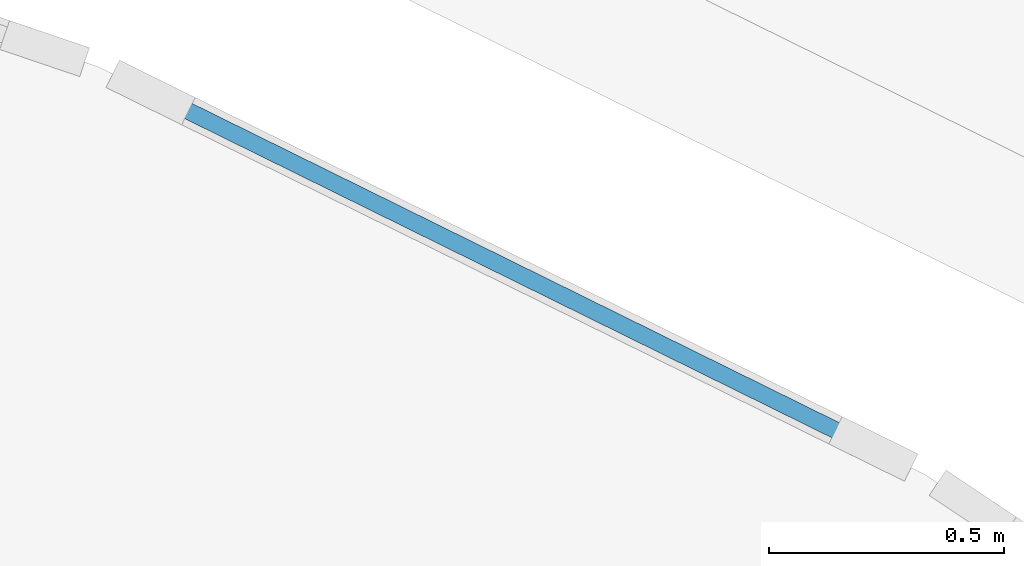
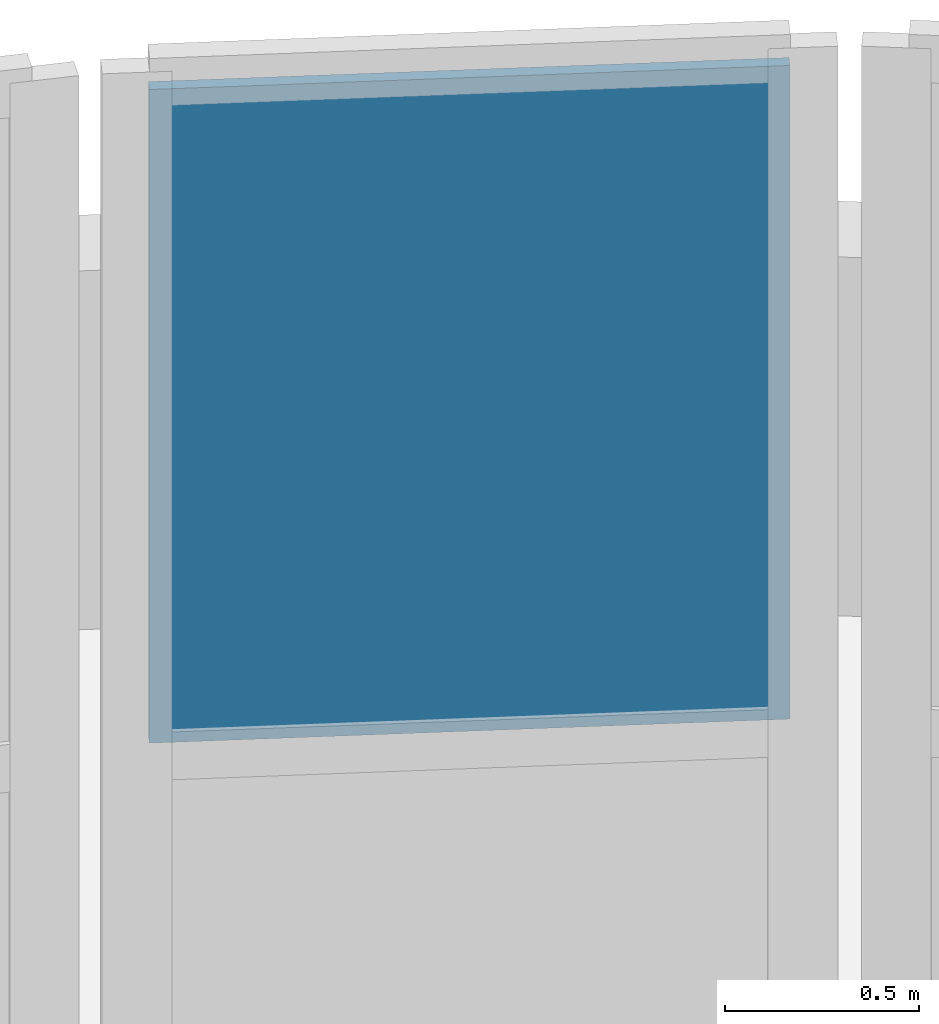
# One storey, part 20 of 33: 1 plate, 1 element without a shape of its own.
"""IFC4 building model written with IfcOpenShell, lengths in metres."""

import ifcopenshell
import ifcopenshell.guid

model = None  # the IFC model being written
_history = None  # IfcOwnerHistory: only IFC2X3 demands one
_inside = {}  # id of a spatial element -> (the spatial element, [elements in it])
_under = {}  # id of a project, library or spatial element -> (it, [spatial elements below it])
_declared = {}  # id of a project -> (the project, [libraries it declares])
_typed = {}  # id of a type object -> (the type object, [elements of that type])
_made_of = {}  # id of a material, layer set ... -> (it, [elements and type objects made of it])


def new_model(schema):
    """Start an empty IFC model of exactly this schema.

    Asked for "IFC4X3", IfcOpenShell would pick the latest addendum, in which some entities
    have other attributes; the version numbers below select the first issue.
    IFC2X3 requires an IfcOwnerHistory on every rooted entity: one is made here for all.
    """
    global model, _history
    if schema == "IFC4X3":
        model = ifcopenshell.file(schema_version=(4, 3, 0, 0))
    else:
        model = ifcopenshell.file(schema=schema)
    _inside.clear()
    _under.clear()
    _declared.clear()
    _typed.clear()
    _made_of.clear()
    _history = None
    if model.schema == "IFC2X3":
        org = make("IfcOrganization", Name="unknown")
        user = make(
            "IfcPersonAndOrganization",
            ThePerson=make("IfcPerson", FamilyName="unknown"),
            TheOrganization=org,
        )
        app = make(
            "IfcApplication",
            ApplicationDeveloper=org,
            Version="unknown",
            ApplicationFullName="unknown",
            ApplicationIdentifier="unknown",
        )
        _history = make(
            "IfcOwnerHistory",
            OwningUser=user,
            OwningApplication=app,
            ChangeAction="ADDED",
            CreationDate=0,
        )
    return model


def make(cls, **values):
    """One entity of the class cls with the attributes given. An attribute that is None is left unset."""
    return model.create_entity(
        cls, **{name: value for name, value in values.items() if value is not None}
    )


def rooted(cls, **values):
    """An entity with a GlobalId (a new one), such as an element, a storey or a relation."""
    return make(cls, GlobalId=ifcopenshell.guid.new(), OwnerHistory=_history, **values)


def si_unit(unit_type, name, prefix=None):
    """IfcSIUnit, for example si_unit("LENGTHUNIT", "METRE", prefix="MILLI")."""
    return make("IfcSIUnit", UnitType=unit_type, Prefix=prefix, Name=name)


def assignment(units):
    """IfcUnitAssignment: the units of a project."""
    return None if units is None else make("IfcUnitAssignment", Units=units)


def point(xyz):
    """IfcCartesianPoint."""
    return None if xyz is None else make("IfcCartesianPoint", Coordinates=xyz)


def direction(xyz):
    """IfcDirection."""
    return None if xyz is None else make("IfcDirection", DirectionRatios=xyz)


def frame(location, z_axis=None, x_axis=None):
    """IfcAxis2Placement3D, a coordinate frame: its origin and axes. An axis left out is left unset."""
    return make(
        "IfcAxis2Placement3D",
        Location=point(location),
        Axis=direction(z_axis),
        RefDirection=direction(x_axis),
    )


def frame_2d(location, x_axis=None):
    """IfcAxis2Placement2D, a coordinate frame in the plane: its origin and x axis."""
    return make(
        "IfcAxis2Placement2D", Location=point(location), RefDirection=direction(x_axis)
    )


def origin():
    """The frame at (0, 0, 0) with its axes left unset."""
    return frame((0.0, 0.0, 0.0))


def origin_2d():
    """The frame at (0, 0) in the plane with its x axis left unset."""
    return frame_2d((0.0, 0.0))


def place(relative_to, where):
    """IfcLocalPlacement: puts the frame where relative to a parent placement (None: the world)."""
    return make(
        "IfcLocalPlacement", PlacementRelTo=relative_to, RelativePlacement=where
    )


def context(
    kind, dimensions, precision=None, world=None, true_north=None, identifier=None
):
    """IfcGeometricRepresentationContext, for example the 3D "Model" context."""
    return make(
        "IfcGeometricRepresentationContext",
        ContextIdentifier=identifier,
        ContextType=kind,
        CoordinateSpaceDimension=dimensions,
        Precision=precision,
        WorldCoordinateSystem=world,
        TrueNorth=true_north,
    )


def subcontext(parent, identifier, kind, view, scale=None):
    """IfcGeometricRepresentationSubContext, for example "Body" below "Model"."""
    return make(
        "IfcGeometricRepresentationSubContext",
        ContextIdentifier=identifier,
        ContextType=kind,
        ParentContext=parent,
        TargetScale=scale,
        TargetView=view,
    )


def project(units=None, contexts=None):
    """IfcProject with its units and contexts."""
    return rooted(
        "IfcProject",
        Name="project",
        RepresentationContexts=contexts,
        UnitsInContext=assignment(units),
    )


def spatial(cls, under=None, at=None, **own):
    """A site, building, storey or space (cls), placed at a placement, below another one or the project."""
    s = rooted(cls, ObjectPlacement=at, **own)
    if under is not None:
        _under.setdefault(under.id(), (under, []))[1].append(s)
    return s


def profile(cls, at=None, kind="AREA", **sizes):
    """A parametric profile (cls). Its sizes go by their IFC names, for example OverallWidth=200.0."""
    return make(cls, ProfileType=kind, Position=at, **sizes)


def rectangle(**sizes):
    """IfcRectangleProfileDef."""
    return profile("IfcRectangleProfileDef", **sizes)


def extrude(swept, where, along, depth):
    """IfcExtrudedAreaSolid: the profile swept, set in the frame where, extruded along a direction by depth."""
    return make(
        "IfcExtrudedAreaSolid",
        SweptArea=swept,
        Position=where,
        ExtrudedDirection=direction(along),
        Depth=depth,
    )


def shape(context_of_items, identifier, shape_type, items):
    """IfcShapeRepresentation: the items that make up one representation, for example the "Body"."""
    return make(
        "IfcShapeRepresentation",
        ContextOfItems=context_of_items,
        RepresentationIdentifier=identifier,
        RepresentationType=shape_type,
        Items=items,
    )


def material(Name=None, Category=None):
    """IfcMaterial."""
    return make("IfcMaterial", Name=Name, Category=Category)


def layer(
    of_material, thickness, ventilated=None, Name=None, Category=None, Priority=None
):
    """IfcMaterialLayer: one layer of a wall or slab, of a material (None: an air gap)."""
    return make(
        "IfcMaterialLayer",
        Material=of_material,
        LayerThickness=thickness,
        IsVentilated=ventilated,
        Name=Name,
        Category=Category,
        Priority=Priority,
    )


def layer_set(layers, Name=None):
    """IfcMaterialLayerSet."""
    return make("IfcMaterialLayerSet", MaterialLayers=layers, LayerSetName=Name)


def made_of(thing, what):
    """Note that an element or type object is made of a material, layer set ...; save() writes the relation."""
    if what is not None:
        _made_of.setdefault(what.id(), (what, []))[1].append(thing)
    return thing


def type_object(cls, material=None, **own):
    """A type object (cls), such as IfcWallType, which elements share."""
    return made_of(rooted(cls, **own), material)


def element(
    cls,
    number,
    at=None,
    inside=None,
    cuts=None,
    type_object=None,
    material=None,
    context=None,
    identifier="Body",
    shape_type=None,
    held_by="IfcProductDefinitionShape",
    body=None,
    shapes=None,
    **own,
):
    """One element of the class cls, such as IfcWall. Its Tag is "e" and its number.

    at: its placement. inside: the storey or other place that contains it. cuts: it is an
    opening in that element (IfcRelVoidsElement). A single representation is given by context,
    identifier, shape_type and body (its items); several are given by shapes. held_by: the class
    of the entity that holds the representations. save() writes the other relations.
    """
    e = rooted(cls, Tag="e%d" % number, ObjectPlacement=at, **own)
    if body is not None:
        shapes = [shape(context, identifier, shape_type, body)]
    if shapes is not None:
        e.Representation = make(held_by, Representations=shapes)
    if inside is not None:
        _inside.setdefault(inside.id(), (inside, []))[1].append(e)
    if cuts is not None:
        rooted(
            "IfcRelVoidsElement", RelatingBuildingElement=cuts, RelatedOpeningElement=e
        )
    if type_object is not None:
        _typed.setdefault(type_object.id(), (type_object, []))[1].append(e)
    return made_of(e, material)


def aggregate(whole, parts):
    """IfcRelAggregates: a whole, such as a stair, and the parts it consists of."""
    return rooted("IfcRelAggregates", RelatingObject=whole, RelatedObjects=parts)


def save(model, path):
    """Write the relations noted so far, then the file.

    IfcRelAggregates (storeys below a building ...), IfcRelContainedInSpatialStructure (elements
    in a storey), IfcRelDefinesByType, IfcRelAssociatesMaterial and IfcRelDeclares: one each for
    every whole, place, type object, material and project.
    """
    for whole, parts in _under.values():
        aggregate(whole, parts)
    for where, things in _inside.values():
        rooted(
            "IfcRelContainedInSpatialStructure",
            RelatedElements=things,
            RelatingStructure=where,
        )
    for kind, things in _typed.values():
        rooted("IfcRelDefinesByType", RelatedObjects=things, RelatingType=kind)
    for what, things in _made_of.values():
        rooted("IfcRelAssociatesMaterial", RelatedObjects=things, RelatingMaterial=what)
    for by, libraries in _declared.values():
        rooted("IfcRelDeclares", RelatingContext=by, RelatedDefinitions=libraries)
    model.write(path)


model = new_model("IFC4")

# Units and contexts
model_context = context("Model", 3, precision=1e-05, world=origin(), true_north=direction((0.0, 1.0)))
body_context = subcontext(model_context, "Body", "Model", "MODEL_VIEW")
ifc_project = project(units=[si_unit("LENGTHUNIT", "METRE"), si_unit("AREAUNIT", "SQUARE_METRE"), si_unit("VOLUMEUNIT", "CUBIC_METRE"), si_unit("PLANEANGLEUNIT", "RADIAN"), si_unit("MASSUNIT", "GRAM", prefix="KILO")], contexts=[model_context])

# Site, building, storey
site_placement = place(None, origin())
site = spatial("IfcSite", under=ifc_project, at=site_placement, CompositionType="ELEMENT")
building_placement = place(site_placement, origin())
building = spatial("IfcBuilding", under=site, at=building_placement, Name="Cendralis Terraced Arcade", CompositionType="ELEMENT")
storey_placement = place(building_placement, frame((0.0, 0.0, 19.800048828125)))
storey = spatial("IfcBuildingStorey", under=building, at=storey_placement, Name="L04", CompositionType="ELEMENT", Elevation=19.800048828125)

# Curtain wall, plate
ifc_material_1 = material(Name="Anodised aluminium EN AW-6063 T6", Category="aluminium")
ifc_layer_1 = layer(ifc_material_1, 0.179931640625, Name="CW-UNIT-A")
ifc_layer_set_1 = layer_set([ifc_layer_1], Name="Anodised aluminium EN AW-6063 T6")
curtain_wall_type = type_object("IfcCurtainWallType", Name="CW-UNIT-A", PredefinedType="USERDEFINED", material=ifc_layer_set_1)
curtain_wall_placement = place(storey_placement, origin())
curtain_wall = element("IfcCurtainWall", 1, at=curtain_wall_placement, inside=storey, type_object=curtain_wall_type, Name="Exterior Unitised Facade CW-L04-0317", ObjectType="UNITISED FACADE", PredefinedType="USERDEFINED")
ifc_material_2 = material(Name="Tempered solar control laminated glass", Category="glass")
ifc_layer_2 = layer(ifc_material_2, 0.035888671875, Name="CW-UNIT-A-PNL")
ifc_layer_set_2 = layer_set([ifc_layer_2], Name="Tempered solar control laminated glass")
plate_type = type_object("IfcPlateType", Name="CW-UNIT-A-PNL", PredefinedType="CURTAIN_PANEL", material=ifc_layer_set_2)
plate_placement = place(storey_placement, frame((158.420166015625, 105.224365234375, 2.36181640625), z_axis=(0.0, 0.0, 1.0), x_axis=(0.896871480419, -0.442291247495, 0.0)))
plate = element("IfcPlate", 2, at=plate_placement, type_object=plate_type, Name="CW-U1 panel 1.2", PredefinedType="CURTAIN_PANEL", context=body_context, shape_type="SweptSolid", body=[
    extrude(rectangle(XDim=1.652099609375, YDim=0.035888671875, at=origin_2d()), origin(), (0.0, 0.0, 1.0), 2.052978515625),
])
aggregate(curtain_wall, [plate])

save(model, "model.ifc")
